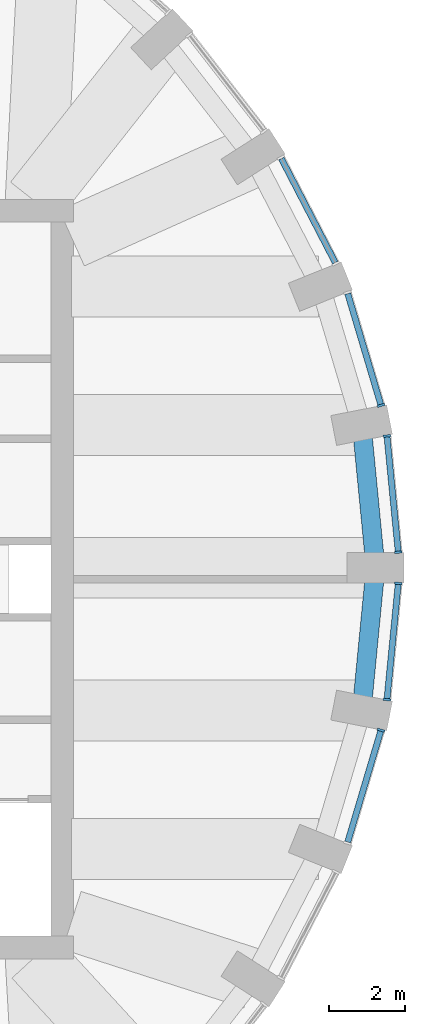
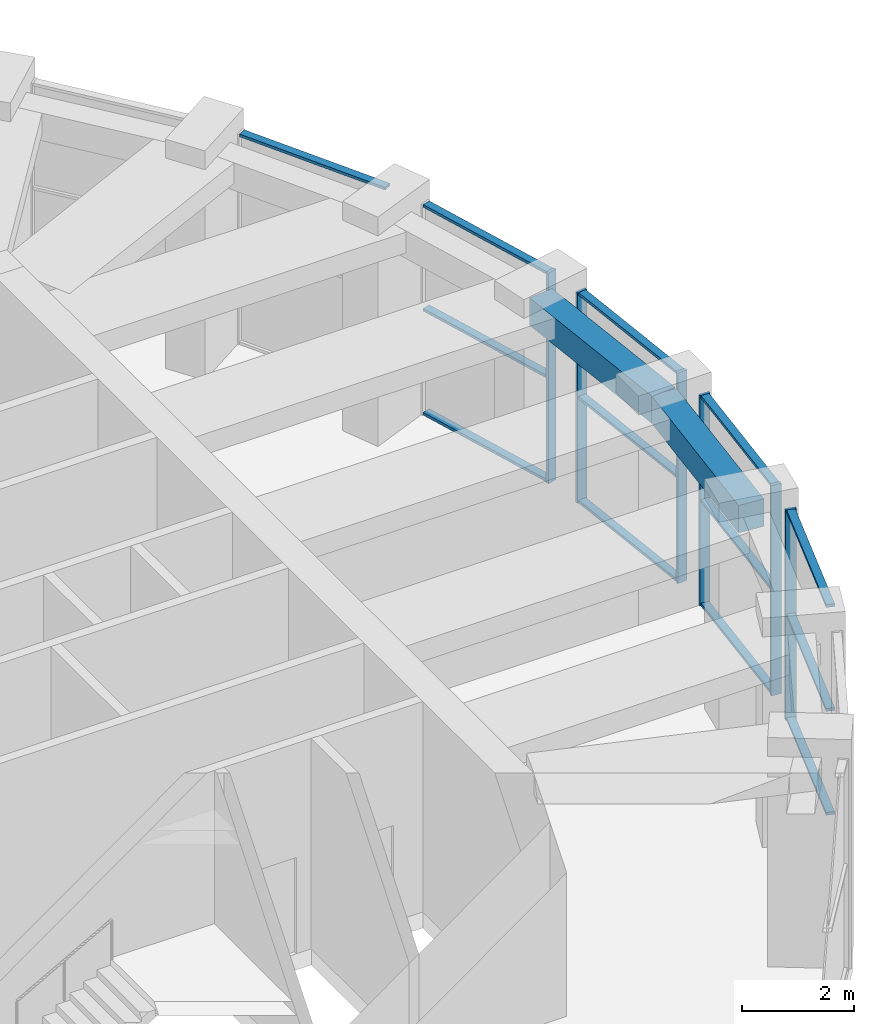
# One storey, part 6 of 16: 19 members, 2 beams, 5 elements without a shape of their own.
"""IFC4 building model written with IfcOpenShell, lengths in metres."""

from ifc_helpers import new_model, si_unit, direction, frame, origin, origin_2d, place, context, subcontext, project, spatial, rectangle, extrude, material, material_profile, profile_set, type_object, element, aggregate, save


model = new_model("IFC4")

# Units and contexts
model_context = context("Model", 3, precision=1e-05, world=origin(), true_north=direction((0.0, 1.0)))
body_context = subcontext(model_context, "Body", "Model", "MODEL_VIEW")
ifc_project = project(units=[si_unit("LENGTHUNIT", "METRE"), si_unit("AREAUNIT", "SQUARE_METRE"), si_unit("VOLUMEUNIT", "CUBIC_METRE"), si_unit("PLANEANGLEUNIT", "RADIAN"), si_unit("MASSUNIT", "GRAM", prefix="KILO")], contexts=[model_context])

# Site, building, storey
site_placement = place(None, origin())
site = spatial("IfcSite", under=ifc_project, at=site_placement, CompositionType="ELEMENT")
building_placement = place(site_placement, origin())
building = spatial("IfcBuilding", under=site, at=building_placement, Name="Taillehof Tower", CompositionType="ELEMENT")
storey_placement = place(building_placement, frame((0.0, 0.0, 264.199951171875)))
storey = spatial("IfcBuildingStorey", under=building, at=storey_placement, Name="L75", CompositionType="ELEMENT", Elevation=264.199951171875)

# Curtain wall, members
ifc_material_1 = material(Name="Aluminium curtain wall with Clear laminated safety glass", Category="aluminium")
curtain_wall_type = type_object("IfcCurtainWallType", Name="Sky restaurant curtain wall", PredefinedType="USERDEFINED", material=ifc_material_1)
curtain_wall_1_placement = place(storey_placement, origin())
curtain_wall_1 = element("IfcCurtainWall", 1, at=curtain_wall_1_placement, inside=storey, type_object=curtain_wall_type, Name="Sky restaurant L75 bay 1", ObjectType="WINDOW WALL", PredefinedType="USERDEFINED")
ifc_material_2 = material(Name="Aluminium mullion", Category="aluminium")
ifc_material_profile_1 = material_profile(ifc_material_2, rectangle(XDim=0.199951171875, YDim=0.06005859375, at=origin_2d()), Name="AL 60x200")
ifc_profile_set_1 = profile_set([ifc_material_profile_1], Name="Aluminium mullion")
member_type_1 = type_object("IfcMemberType", Name="Sky restaurant mullion 60x200", PredefinedType="MULLION", material=ifc_profile_set_1)
member_1_placement = place(storey_placement, frame((24.549560546875, 0.7099609375, 0.0), z_axis=(0.0, 0.0, 1.0), x_axis=(-0.995312250248, -0.0967136211, 0.0)))
member_1 = element("IfcMember", 2, at=member_1_placement, type_object=member_type_1, Name="CT5E01 mullion 1", PredefinedType="MULLION", context=body_context, shape_type="SweptSolid", body=[
    extrude(rectangle(XDim=0.199951171875, YDim=0.06005859375, at=origin_2d()), origin(), (0.0, 0.0, 1.0), 4.590087890625),
])
member_2_placement = place(storey_placement, frame((24.252197265625, 3.77197265625, 0.0), z_axis=(0.0, 0.0, 1.0), x_axis=(-0.995312250248, -0.0967136211, 0.0)))
member_2 = element("IfcMember", 3, at=member_2_placement, type_object=member_type_1, Name="CT5E01 mullion 2", PredefinedType="MULLION", context=body_context, shape_type="SweptSolid", body=[
    extrude(rectangle(XDim=0.199951171875, YDim=0.06005859375, at=origin_2d()), origin(), (0.0, 0.0, 1.0), 4.590087890625),
])

# Curtain wall, member
curtain_wall_2_placement = place(storey_placement, origin())
curtain_wall_2 = element("IfcCurtainWall", 4, at=curtain_wall_2_placement, inside=storey, type_object=curtain_wall_type, Name="Sky restaurant L75 bay 2", ObjectType="WINDOW WALL", PredefinedType="USERDEFINED")
member_3_placement = place(storey_placement, frame((24.0947265625, 4.57666015625, 0.0), z_axis=(0.0, 0.0, 1.0), x_axis=(-0.958457446134, -0.285235558707, 0.0)))
member_3 = element("IfcMember", 5, at=member_3_placement, type_object=member_type_1, Name="CT5E02 mullion 1", PredefinedType="MULLION", context=body_context, shape_type="SweptSolid", body=[
    extrude(rectangle(XDim=0.199951171875, YDim=0.06005859375, at=origin_2d()), origin(), (0.0, 0.0, 1.0), 4.590087890625),
])

curtain_wall_3_placement = place(storey_placement, origin())
curtain_wall_3 = element("IfcCurtainWall", 6, at=curtain_wall_3_placement, inside=storey, type_object=curtain_wall_type, Name="Sky restaurant L75 bay 35", ObjectType="WINDOW WALL", PredefinedType="USERDEFINED")
member_4_placement = place(storey_placement, frame((24.0947265625, -3.976806640625, 0.0), z_axis=(0.0, 0.0, 1.0), x_axis=(-0.958457446134, 0.285235558707, 0.0)))
member_4 = element("IfcMember", 7, at=member_4_placement, type_object=member_type_1, Name="CT5E35 mullion 2", PredefinedType="MULLION", context=body_context, shape_type="SweptSolid", body=[
    extrude(rectangle(XDim=0.199951171875, YDim=0.06005859375, at=origin_2d()), origin(), (0.0, 0.0, 1.0), 4.590087890625),
])

# Curtain wall, members
curtain_wall_4_placement = place(storey_placement, origin())
curtain_wall_4 = element("IfcCurtainWall", 8, at=curtain_wall_4_placement, inside=storey, type_object=curtain_wall_type, Name="Sky restaurant L75 bay 36", ObjectType="WINDOW WALL", PredefinedType="USERDEFINED")
member_5_placement = place(storey_placement, frame((24.252197265625, -3.172119140625, 0.0), z_axis=(0.0, 0.0, 1.0), x_axis=(-0.995312250248, 0.0967136211, 0.0)))
member_5 = element("IfcMember", 9, at=member_5_placement, type_object=member_type_1, Name="CT5E36 mullion 1", PredefinedType="MULLION", context=body_context, shape_type="SweptSolid", body=[
    extrude(rectangle(XDim=0.199951171875, YDim=0.06005859375, at=origin_2d()), origin(), (0.0, 0.0, 1.0), 4.590087890625),
])
member_6_placement = place(storey_placement, frame((24.549560546875, -0.10986328125, 0.0), z_axis=(0.0, 0.0, 1.0), x_axis=(-0.995312250248, 0.0967136211, 0.0)))
member_6 = element("IfcMember", 10, at=member_6_placement, type_object=member_type_1, Name="CT5E36 mullion 2", PredefinedType="MULLION", context=body_context, shape_type="SweptSolid", body=[
    extrude(rectangle(XDim=0.199951171875, YDim=0.06005859375, at=origin_2d()), origin(), (0.0, 0.0, 1.0), 4.590087890625),
])

# Member
ifc_material_3 = material(Name="Aluminium transom", Category="aluminium")
ifc_material_profile_2 = material_profile(ifc_material_3, rectangle(XDim=0.159912109375, YDim=0.06005859375, at=origin_2d()), Name="AL 160x60")
ifc_profile_set_2 = profile_set([ifc_material_profile_2], Name="Aluminium transom")
member_type_2 = type_object("IfcMemberType", Name="Sky restaurant transom 160x60", PredefinedType="USERDEFINED", material=ifc_profile_set_2)
member_7_placement = place(storey_placement, frame((24.546630859375, 0.73974609375, 0.030029296875), z_axis=(-0.096714751004, 0.995312140456, 0.0), x_axis=(-0.995312140456, -0.096714751004, 0.0)))
member_7 = element("IfcMember", 11, at=member_7_placement, type_object=member_type_2, Name="CT5E01 transom 1.1", ObjectType="TRANSOM", PredefinedType="USERDEFINED", context=body_context, shape_type="SweptSolid", body=[
    extrude(rectangle(XDim=0.159912109375, YDim=0.06005859375, at=origin_2d()), origin(), (0.0, 0.0, 1.0), 3.0166015625),
])

member_8_placement = place(storey_placement, frame((24.546630859375, 0.73974609375, 2.295166015625), z_axis=(-0.096714751004, 0.995312140456, 0.0), x_axis=(-0.995312140456, -0.096714751004, 0.0)))
member_8 = element("IfcMember", 12, at=member_8_placement, type_object=member_type_2, Name="CT5E01 transom 1.2", ObjectType="TRANSOM", PredefinedType="USERDEFINED", context=body_context, shape_type="SweptSolid", body=[
    extrude(rectangle(XDim=0.159912109375, YDim=0.06005859375, at=origin_2d()), origin(), (0.0, 0.0, 1.0), 3.0166015625),
])

member_9_placement = place(storey_placement, frame((24.546630859375, 0.73974609375, 4.56005859375), z_axis=(-0.096714751004, 0.995312140456, 0.0), x_axis=(-0.995312140456, -0.096714751004, 0.0)))
member_9 = element("IfcMember", 13, at=member_9_placement, type_object=member_type_2, Name="CT5E01 transom 1.3", ObjectType="TRANSOM", PredefinedType="USERDEFINED", context=body_context, shape_type="SweptSolid", body=[
    extrude(rectangle(XDim=0.159912109375, YDim=0.06005859375, at=origin_2d()), origin(), (0.0, 0.0, 1.0), 3.0166015625),
])

aggregate(curtain_wall_1, [member_1, member_2, member_7, member_8, member_9])

member_10_placement = place(storey_placement, frame((24.086181640625, 4.60546875, 0.030029296875), z_axis=(-0.285233402004, 0.958458087963, 0.0), x_axis=(-0.958458087963, -0.285233402004, 0.0)))
member_10 = element("IfcMember", 14, at=member_10_placement, type_object=member_type_2, Name="CT5E02 transom 1.1", ObjectType="TRANSOM", PredefinedType="USERDEFINED", context=body_context, shape_type="SweptSolid", body=[
    extrude(rectangle(XDim=0.159912109375, YDim=0.06005859375, at=origin_2d()), origin(), (0.0, 0.0, 1.0), 3.041015625),
])

member_11_placement = place(storey_placement, frame((24.086181640625, 4.60546875, 2.295166015625), z_axis=(-0.285233402004, 0.958458087963, 0.0), x_axis=(-0.958458087963, -0.285233402004, 0.0)))
member_11 = element("IfcMember", 15, at=member_11_placement, type_object=member_type_2, Name="CT5E02 transom 1.2", ObjectType="TRANSOM", PredefinedType="USERDEFINED", context=body_context, shape_type="SweptSolid", body=[
    extrude(rectangle(XDim=0.159912109375, YDim=0.06005859375, at=origin_2d()), origin(), (0.0, 0.0, 1.0), 3.041015625),
])

member_12_placement = place(storey_placement, frame((24.086181640625, 4.60546875, 4.56005859375), z_axis=(-0.285233402004, 0.958458087963, 0.0), x_axis=(-0.958458087963, -0.285233402004, 0.0)))
member_12 = element("IfcMember", 16, at=member_12_placement, type_object=member_type_2, Name="CT5E02 transom 1.3", ObjectType="TRANSOM", PredefinedType="USERDEFINED", context=body_context, shape_type="SweptSolid", body=[
    extrude(rectangle(XDim=0.159912109375, YDim=0.06005859375, at=origin_2d()), origin(), (0.0, 0.0, 1.0), 3.041015625),
])

aggregate(curtain_wall_2, [member_3, member_10, member_11, member_12])

# Curtain wall, member
curtain_wall_5_placement = place(storey_placement, origin())
curtain_wall_5 = element("IfcCurtainWall", 17, at=curtain_wall_5_placement, inside=storey, type_object=curtain_wall_type, Name="Sky restaurant L75 bay 3", ObjectType="WINDOW WALL", PredefinedType="USERDEFINED")
member_13_placement = place(storey_placement, frame((22.8896484375, 8.336181640625, 4.56005859375), z_axis=(-0.459917726604, 0.887961533376, 0.0), x_axis=(-0.887961533376, -0.459917726604, 0.0)))
member_13 = element("IfcMember", 18, at=member_13_placement, type_object=member_type_2, Name="CT5E03 transom 1.3", ObjectType="TRANSOM", PredefinedType="USERDEFINED", context=body_context, shape_type="SweptSolid", body=[
    extrude(rectangle(XDim=0.159912109375, YDim=0.06005859375, at=origin_2d()), origin(), (0.0, 0.0, 1.0), 3.0869140625),
])
aggregate(curtain_wall_5, [member_13])

# Member
member_14_placement = place(storey_placement, frame((23.21875, -6.92041015625, 0.030029296875), z_axis=(0.285233402004, 0.958458087963, 0.0), x_axis=(-0.958458087963, 0.285233402004, 0.0)))
member_14 = element("IfcMember", 19, at=member_14_placement, type_object=member_type_2, Name="CT5E35 transom 1.1", ObjectType="TRANSOM", PredefinedType="USERDEFINED", context=body_context, shape_type="SweptSolid", body=[
    extrude(rectangle(XDim=0.159912109375, YDim=0.06005859375, at=origin_2d()), origin(), (0.0, 0.0, 1.0), 3.041015625),
])

member_15_placement = place(storey_placement, frame((23.21875, -6.92041015625, 2.295166015625), z_axis=(0.285233402004, 0.958458087963, 0.0), x_axis=(-0.958458087963, 0.285233402004, 0.0)))
member_15 = element("IfcMember", 20, at=member_15_placement, type_object=member_type_2, Name="CT5E35 transom 1.2", ObjectType="TRANSOM", PredefinedType="USERDEFINED", context=body_context, shape_type="SweptSolid", body=[
    extrude(rectangle(XDim=0.159912109375, YDim=0.06005859375, at=origin_2d()), origin(), (0.0, 0.0, 1.0), 3.041015625),
])

member_16_placement = place(storey_placement, frame((23.21875, -6.92041015625, 4.56005859375), z_axis=(0.285233402004, 0.958458087963, 0.0), x_axis=(-0.958458087963, 0.285233402004, 0.0)))
member_16 = element("IfcMember", 21, at=member_16_placement, type_object=member_type_2, Name="CT5E35 transom 1.3", ObjectType="TRANSOM", PredefinedType="USERDEFINED", context=body_context, shape_type="SweptSolid", body=[
    extrude(rectangle(XDim=0.159912109375, YDim=0.06005859375, at=origin_2d()), origin(), (0.0, 0.0, 1.0), 3.041015625),
])

aggregate(curtain_wall_3, [member_4, member_14, member_15, member_16])

member_17_placement = place(storey_placement, frame((24.2548828125, -3.142333984375, 0.030029296875), z_axis=(0.096714751004, 0.995312140456, 0.0), x_axis=(-0.995312140456, 0.096714751004, 0.0)))
member_17 = element("IfcMember", 22, at=member_17_placement, type_object=member_type_2, Name="CT5E36 transom 1.1", ObjectType="TRANSOM", PredefinedType="USERDEFINED", context=body_context, shape_type="SweptSolid", body=[
    extrude(rectangle(XDim=0.159912109375, YDim=0.06005859375, at=origin_2d()), origin(), (0.0, 0.0, 1.0), 3.0166015625),
])

member_18_placement = place(storey_placement, frame((24.2548828125, -3.142333984375, 2.295166015625), z_axis=(0.096714751004, 0.995312140456, 0.0), x_axis=(-0.995312140456, 0.096714751004, 0.0)))
member_18 = element("IfcMember", 23, at=member_18_placement, type_object=member_type_2, Name="CT5E36 transom 1.2", ObjectType="TRANSOM", PredefinedType="USERDEFINED", context=body_context, shape_type="SweptSolid", body=[
    extrude(rectangle(XDim=0.159912109375, YDim=0.06005859375, at=origin_2d()), origin(), (0.0, 0.0, 1.0), 3.0166015625),
])

member_19_placement = place(storey_placement, frame((24.2548828125, -3.142333984375, 4.56005859375), z_axis=(0.096714751004, 0.995312140456, 0.0), x_axis=(-0.995312140456, 0.096714751004, 0.0)))
member_19 = element("IfcMember", 24, at=member_19_placement, type_object=member_type_2, Name="CT5E36 transom 1.3", ObjectType="TRANSOM", PredefinedType="USERDEFINED", context=body_context, shape_type="SweptSolid", body=[
    extrude(rectangle(XDim=0.159912109375, YDim=0.06005859375, at=origin_2d()), origin(), (0.0, 0.0, 1.0), 3.0166015625),
])

aggregate(curtain_wall_4, [member_5, member_6, member_17, member_18, member_19])

# Beams
ifc_material_4 = material(Name="Concrete C50/60", Category="concrete")
ifc_material_profile_3 = material_profile(ifc_material_4, rectangle(XDim=0.5, YDim=0.60009765625, at=origin_2d()), Name="RC 500x600")
ifc_profile_set_3 = profile_set([ifc_material_profile_3], Name="Concrete C50/60")
beam_type = type_object("IfcBeamType", Name="Spandrel beam C50/60 500x600", PredefinedType="SPANDREL", material=ifc_profile_set_3)
for number, where, z_axis, x_axis, name in (
    (25, (23.949951171875, 0.300048828125, 4.2900390625), (-0.096693940319, 0.995314162416, 0.0), (-0.995314162416, -0.096693940319, 0.0), "Spandrel beam SB01"),
    (26, (23.584716796875, -3.45947265625, 4.2900390625), (0.096693940319, 0.995314162416, 0.0), (-0.995314162416, 0.096693940319, 0.0), "Spandrel beam SB36"),
):
    element("IfcBeam", number, at=place(storey_placement, frame(where, z_axis=z_axis, x_axis=x_axis)), inside=storey, type_object=beam_type, Name=name, PredefinedType="SPANDREL", context=body_context, shape_type="SweptSolid", body=[
        extrude(rectangle(XDim=0.5, YDim=0.60009765625, at=origin_2d()), origin(), (0.0, 0.0, 1.0), 3.777099609375),
    ])

save(model, "model.ifc")
